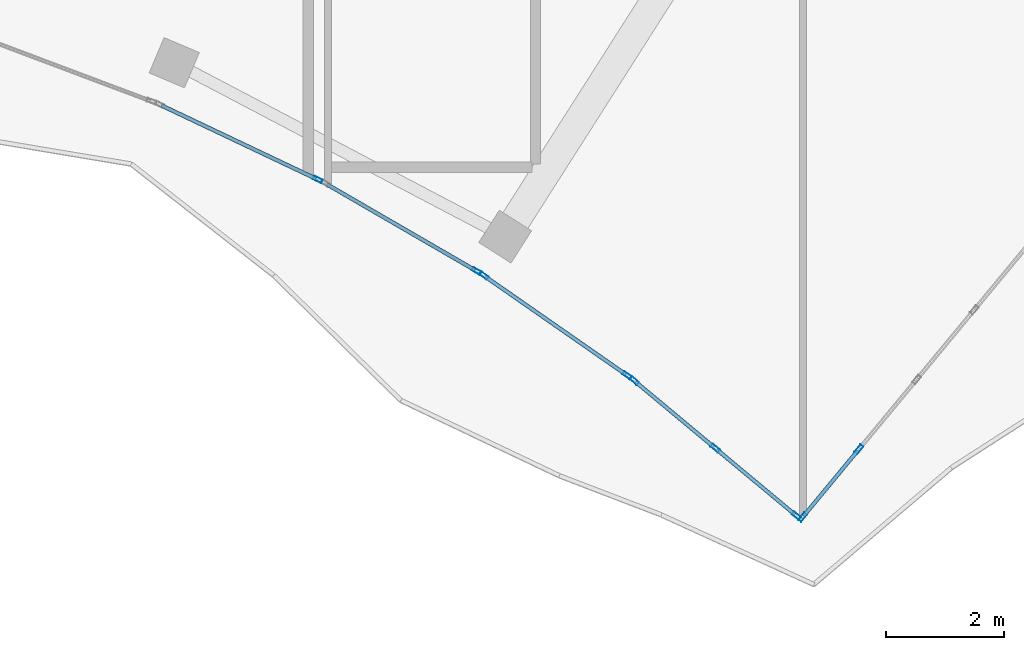
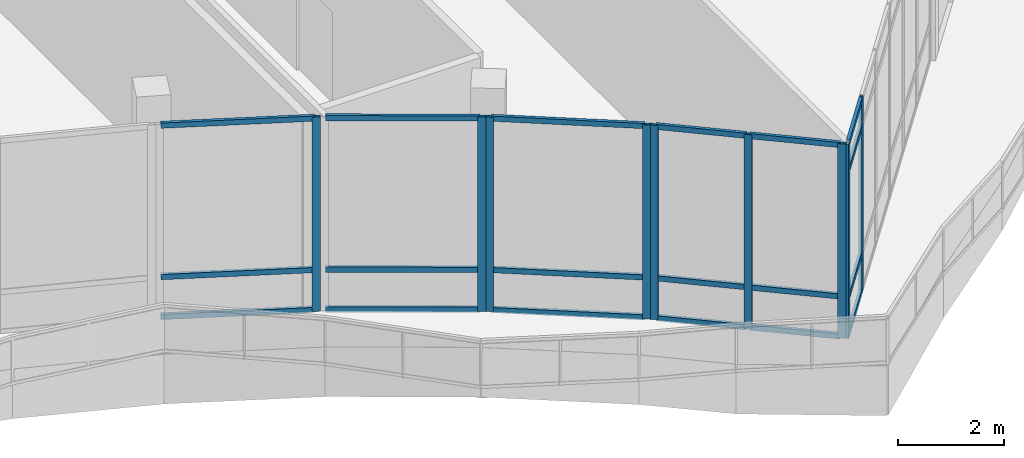
# One storey, part 95 of 155: 28 members, 5 elements without a shape of their own.
"""IFC4 building model written with IfcOpenShell, lengths in metres."""

from ifc_helpers import new_model, si_unit, direction, frame, origin, origin_2d, place, context, subcontext, project, spatial, hollow_rectangle, extrude, material, material_profile, profile_set, type_object, element, aggregate, save


model = new_model("IFC4")

# Units and contexts
model_context = context("Model", 3, precision=1e-05, world=origin(), true_north=direction((0.0, 1.0)))
body_context = subcontext(model_context, "Body", "Model", "MODEL_VIEW")
ifc_project = project(units=[si_unit("LENGTHUNIT", "METRE"), si_unit("AREAUNIT", "SQUARE_METRE"), si_unit("VOLUMEUNIT", "CUBIC_METRE"), si_unit("PLANEANGLEUNIT", "RADIAN"), si_unit("MASSUNIT", "GRAM", prefix="KILO")], contexts=[model_context])

# Site, building, storey
site_placement = place(None, origin())
site = spatial("IfcSite", under=ifc_project, at=site_placement, CompositionType="ELEMENT")
building_placement = place(site_placement, origin())
building = spatial("IfcBuilding", under=site, at=building_placement, Name="Selatvlak General Hospital", CompositionType="ELEMENT")
storey_placement = place(building_placement, frame((0.0, 0.0, 10.199951171875)))
storey = spatial("IfcBuildingStorey", under=building, at=storey_placement, Name="L02", CompositionType="ELEMENT", Elevation=10.199951171875)

# Curtain wall, members
ifc_material_1 = material(Name="Solar-control Low-E double glazing", Category="glass")
curtain_wall_type_1 = type_object("IfcCurtainWallType", Name="CW-CW-01", PredefinedType="USERDEFINED", material=ifc_material_1)
curtain_wall_1_placement = place(storey_placement, origin())
curtain_wall_1 = element("IfcCurtainWall", 1, at=curtain_wall_1_placement, inside=storey, type_object=curtain_wall_type_1, Name="Glazed facade curtain wall CW-L02-0274", ObjectType="UNITISED CURTAIN WALL", PredefinedType="USERDEFINED")
ifc_material_2 = material(Name="Dark anodised aluminium mullion", Category="aluminium")
ifc_material_profile_1 = material_profile(ifc_material_2, hollow_rectangle(XDim=0.06494140625, YDim=0.159912109375, WallThickness=0.00390625, at=origin_2d()), Name="AL-MUL 65x160x4")
ifc_profile_set_1 = profile_set([ifc_material_profile_1], Name="Dark anodised aluminium mullion")
member_type_1 = type_object("IfcMemberType", Name="CWM-01", PredefinedType="MULLION", material=ifc_profile_set_1)
member_1_placement = place(storey_placement, frame((166.550537109375, 45.15576171875, 0.0), z_axis=(0.0, 0.0, 1.0), x_axis=(0.770267232802, -0.637721247938, 0.0)))
member_1 = element("IfcMember", 2, at=member_1_placement, type_object=member_type_1, Name="CW-01 mullion 6", PredefinedType="MULLION", context=body_context, shape_type="SweptSolid", body=[
    extrude(hollow_rectangle(XDim=0.06494140625, YDim=0.159912109375, WallThickness=0.00390625, at=origin_2d()), origin(), (0.0, 0.0, 1.0), 4.4599609375),
])
member_2_placement = place(storey_placement, frame((165.59375, 44.0, 0.0), z_axis=(0.0, 0.0, 1.0), x_axis=(0.770267232802, -0.637721247938, 0.0)))
member_2 = element("IfcMember", 3, at=member_2_placement, type_object=member_type_1, Name="CW-01 mullion 7", PredefinedType="MULLION", context=body_context, shape_type="SweptSolid", body=[
    extrude(hollow_rectangle(XDim=0.06494140625, YDim=0.159912109375, WallThickness=0.00390625, at=origin_2d()), origin(), (0.0, 0.0, 1.0), 4.4599609375),
])

curtain_wall_2_placement = place(storey_placement, origin())
curtain_wall_2 = element("IfcCurtainWall", 4, at=curtain_wall_2_placement, inside=storey, type_object=curtain_wall_type_1, Name="Glazed facade curtain wall CW-L02-0275", ObjectType="UNITISED CURTAIN WALL", PredefinedType="USERDEFINED")
member_3_placement = place(storey_placement, frame((165.488037109375, 44.02587890625, 0.0), z_axis=(0.0, 0.0, 1.0), x_axis=(-0.640076587964, -0.768311109864, 0.0)))
member_3 = element("IfcMember", 5, at=member_3_placement, type_object=member_type_1, Name="CW-01 mullion 1", PredefinedType="MULLION", context=body_context, shape_type="SweptSolid", body=[
    extrude(hollow_rectangle(XDim=0.06494140625, YDim=0.159912109375, WallThickness=0.00390625, at=origin_2d()), origin(), (0.0, 0.0, 1.0), 4.4599609375),
])
member_4_placement = place(storey_placement, frame((164.111083984375, 45.173095703125, 0.0), z_axis=(0.0, 0.0, 1.0), x_axis=(-0.640076587964, -0.768311109864, 0.0)))
member_4 = element("IfcMember", 6, at=member_4_placement, type_object=member_type_1, Name="CW-01 mullion 2", PredefinedType="MULLION", context=body_context, shape_type="SweptSolid", body=[
    extrude(hollow_rectangle(XDim=0.06494140625, YDim=0.159912109375, WallThickness=0.00390625, at=origin_2d()), origin(), (0.0, 0.0, 1.0), 4.4599609375),
])
member_5_placement = place(storey_placement, frame((162.73388671875, 46.3203125, 0.0), z_axis=(0.0, 0.0, 1.0), x_axis=(-0.640076587964, -0.768311109864, 0.0)))
member_5 = element("IfcMember", 7, at=member_5_placement, type_object=member_type_1, Name="CW-01 mullion 3", PredefinedType="MULLION", context=body_context, shape_type="SweptSolid", body=[
    extrude(hollow_rectangle(XDim=0.06494140625, YDim=0.159912109375, WallThickness=0.00390625, at=origin_2d()), origin(), (0.0, 0.0, 1.0), 4.4599609375),
])

curtain_wall_type_2 = type_object("IfcCurtainWallType", Name="CW-CW-02", PredefinedType="USERDEFINED", material=ifc_material_1)
curtain_wall_3_placement = place(storey_placement, origin())
curtain_wall_3 = element("IfcCurtainWall", 8, at=curtain_wall_3_placement, inside=storey, type_object=curtain_wall_type_2, Name="Glazed facade curtain wall CW-L02-0276", ObjectType="UNITISED CURTAIN WALL", PredefinedType="USERDEFINED")
member_6_placement = place(storey_placement, frame((162.617431640625, 46.407470703125, 0.0), z_axis=(0.0, 0.0, 1.0), x_axis=(-0.571335076749, -0.82071690008, 0.0)))
member_6 = element("IfcMember", 9, at=member_6_placement, type_object=member_type_1, Name="CW-02 mullion 1", PredefinedType="MULLION", context=body_context, shape_type="SweptSolid", body=[
    extrude(hollow_rectangle(XDim=0.06494140625, YDim=0.159912109375, WallThickness=0.00390625, at=origin_2d()), origin(), (0.0, 0.0, 1.0), 4.4599609375),
])
member_7_placement = place(storey_placement, frame((160.1826171875, 48.1025390625, 0.0), z_axis=(0.0, 0.0, 1.0), x_axis=(-0.571335076749, -0.82071690008, 0.0)))
member_7 = element("IfcMember", 10, at=member_7_placement, type_object=member_type_1, Name="CW-02 mullion 2", PredefinedType="MULLION", context=body_context, shape_type="SweptSolid", body=[
    extrude(hollow_rectangle(XDim=0.06494140625, YDim=0.159912109375, WallThickness=0.00390625, at=origin_2d()), origin(), (0.0, 0.0, 1.0), 4.4599609375),
])

# Curtain wall, member
curtain_wall_4_placement = place(storey_placement, origin())
curtain_wall_4 = element("IfcCurtainWall", 11, at=curtain_wall_4_placement, inside=storey, type_object=curtain_wall_type_1, Name="Glazed facade curtain wall CW-L02-0277", ObjectType="UNITISED CURTAIN WALL", PredefinedType="USERDEFINED")
member_8_placement = place(storey_placement, frame((160.059814453125, 48.17919921875, 0.0), z_axis=(0.0, 0.0, 1.0), x_axis=(-0.501491093657, -0.865162807212, 0.0)))
member_8 = element("IfcMember", 12, at=member_8_placement, type_object=member_type_1, Name="CW-01 mullion 1", PredefinedType="MULLION", context=body_context, shape_type="SweptSolid", body=[
    extrude(hollow_rectangle(XDim=0.06494140625, YDim=0.159912109375, WallThickness=0.00390625, at=origin_2d()), origin(), (0.0, 0.0, 1.0), 4.4599609375),
])

curtain_wall_5_placement = place(storey_placement, origin())
curtain_wall_5 = element("IfcCurtainWall", 13, at=curtain_wall_5_placement, inside=storey, type_object=curtain_wall_type_2, Name="Glazed facade curtain wall CW-L02-0278", ObjectType="UNITISED CURTAIN WALL", PredefinedType="USERDEFINED")
member_9_placement = place(storey_placement, frame((157.362548828125, 49.73291015625, 0.0), z_axis=(0.0, 0.0, 1.0), x_axis=(-0.428525558966, -0.903529659343, 0.0)))
member_9 = element("IfcMember", 14, at=member_9_placement, type_object=member_type_1, Name="CW-02 mullion 1", PredefinedType="MULLION", context=body_context, shape_type="SweptSolid", body=[
    extrude(hollow_rectangle(XDim=0.06494140625, YDim=0.159912109375, WallThickness=0.00390625, at=origin_2d()), origin(), (0.0, 0.0, 1.0), 4.4599609375),
])

# Member
ifc_material_profile_2 = material_profile(ifc_material_2, hollow_rectangle(XDim=0.06494140625, YDim=0.1201171875, WallThickness=0.00390625, at=origin_2d()), Name="AL-TRN 65x120x4")
ifc_profile_set_2 = profile_set([ifc_material_profile_2], Name="Dark anodised aluminium mullion")
member_type_2 = type_object("IfcMemberType", Name="CWT-01", PredefinedType="USERDEFINED", material=ifc_profile_set_2)
member_10_placement = place(storey_placement, frame((166.52978515625, 45.130615234375, 0.032470703125), z_axis=(-0.637738287504, -0.770253125051, 0.0), x_axis=(0.770253125051, -0.637738287504, 0.0)))
member_10 = element("IfcMember", 15, at=member_10_placement, type_object=member_type_2, Name="CW-01 transom 6.1", ObjectType="TRANSOM", PredefinedType="USERDEFINED", context=body_context, shape_type="SweptSolid", body=[
    extrude(hollow_rectangle(XDim=0.06494140625, YDim=0.1201171875, WallThickness=0.00390625, at=origin_2d()), origin(), (0.0, 0.0, 1.0), 1.435302734375),
])

member_11_placement = place(storey_placement, frame((166.52978515625, 45.130615234375, 0.900146484375), z_axis=(-0.637738287504, -0.770253125051, 0.0), x_axis=(0.770253125051, -0.637738287504, 0.0)))
member_11 = element("IfcMember", 16, at=member_11_placement, type_object=member_type_2, Name="CW-01 transom 6.2", ObjectType="TRANSOM", PredefinedType="USERDEFINED", context=body_context, shape_type="SweptSolid", body=[
    extrude(hollow_rectangle(XDim=0.06494140625, YDim=0.1201171875, WallThickness=0.00390625, at=origin_2d()), origin(), (0.0, 0.0, 1.0), 1.435302734375),
])

member_12_placement = place(storey_placement, frame((166.52978515625, 45.130615234375, 3.81005859375), z_axis=(-0.637738287504, -0.770253125051, 0.0), x_axis=(0.770253125051, -0.637738287504, 0.0)))
member_12 = element("IfcMember", 17, at=member_12_placement, type_object=member_type_2, Name="CW-01 transom 6.3", ObjectType="TRANSOM", PredefinedType="USERDEFINED", context=body_context, shape_type="SweptSolid", body=[
    extrude(hollow_rectangle(XDim=0.06494140625, YDim=0.1201171875, WallThickness=0.00390625, at=origin_2d()), origin(), (0.0, 0.0, 1.0), 1.435302734375),
])

member_13_placement = place(storey_placement, frame((166.52978515625, 45.130615234375, 4.427490234375), z_axis=(-0.637738287504, -0.770253125051, 0.0), x_axis=(0.770253125051, -0.637738287504, 0.0)))
member_13 = element("IfcMember", 18, at=member_13_placement, type_object=member_type_2, Name="CW-01 transom 6.4", ObjectType="TRANSOM", PredefinedType="USERDEFINED", context=body_context, shape_type="SweptSolid", body=[
    extrude(hollow_rectangle(XDim=0.06494140625, YDim=0.1201171875, WallThickness=0.00390625, at=origin_2d()), origin(), (0.0, 0.0, 1.0), 1.435302734375),
])

aggregate(curtain_wall_1, [member_1, member_2, member_10, member_11, member_12, member_13])

member_14_placement = place(storey_placement, frame((165.463134765625, 44.046630859375, 0.032470703125), z_axis=(-0.768360290955, 0.640017549199, 0.0), x_axis=(-0.640017549199, -0.768360290955, 0.0)))
member_14 = element("IfcMember", 19, at=member_14_placement, type_object=member_type_2, Name="CW-01 transom 1.1", ObjectType="TRANSOM", PredefinedType="USERDEFINED", context=body_context, shape_type="SweptSolid", body=[
    extrude(hollow_rectangle(XDim=0.06494140625, YDim=0.1201171875, WallThickness=0.00390625, at=origin_2d()), origin(), (0.0, 0.0, 1.0), 1.727294921875),
])

member_15_placement = place(storey_placement, frame((165.463134765625, 44.046630859375, 0.949951171875), z_axis=(-0.768360290955, 0.640017549199, 0.0), x_axis=(-0.640017549199, -0.768360290955, 0.0)))
member_15 = element("IfcMember", 20, at=member_15_placement, type_object=member_type_2, Name="CW-01 transom 1.2", ObjectType="TRANSOM", PredefinedType="USERDEFINED", context=body_context, shape_type="SweptSolid", body=[
    extrude(hollow_rectangle(XDim=0.06494140625, YDim=0.1201171875, WallThickness=0.00390625, at=origin_2d()), origin(), (0.0, 0.0, 1.0), 1.727294921875),
])

member_16_placement = place(storey_placement, frame((165.463134765625, 44.046630859375, 4.427490234375), z_axis=(-0.768360290955, 0.640017549199, 0.0), x_axis=(-0.640017549199, -0.768360290955, 0.0)))
member_16 = element("IfcMember", 21, at=member_16_placement, type_object=member_type_2, Name="CW-01 transom 1.3", ObjectType="TRANSOM", PredefinedType="USERDEFINED", context=body_context, shape_type="SweptSolid", body=[
    extrude(hollow_rectangle(XDim=0.06494140625, YDim=0.1201171875, WallThickness=0.00390625, at=origin_2d()), origin(), (0.0, 0.0, 1.0), 1.727294921875),
])

member_17_placement = place(storey_placement, frame((164.0859375, 45.19384765625, 0.032470703125), z_axis=(-0.768302382767, 0.640087063324, 0.0), x_axis=(-0.640087063324, -0.768302382767, 0.0)))
member_17 = element("IfcMember", 22, at=member_17_placement, type_object=member_type_2, Name="CW-01 transom 2.1", ObjectType="TRANSOM", PredefinedType="USERDEFINED", context=body_context, shape_type="SweptSolid", body=[
    extrude(hollow_rectangle(XDim=0.06494140625, YDim=0.1201171875, WallThickness=0.00390625, at=origin_2d()), origin(), (0.0, 0.0, 1.0), 1.72705078125),
])

member_18_placement = place(storey_placement, frame((164.0859375, 45.19384765625, 0.949951171875), z_axis=(-0.768302382767, 0.640087063324, 0.0), x_axis=(-0.640087063324, -0.768302382767, 0.0)))
member_18 = element("IfcMember", 23, at=member_18_placement, type_object=member_type_2, Name="CW-01 transom 2.2", ObjectType="TRANSOM", PredefinedType="USERDEFINED", context=body_context, shape_type="SweptSolid", body=[
    extrude(hollow_rectangle(XDim=0.06494140625, YDim=0.1201171875, WallThickness=0.00390625, at=origin_2d()), origin(), (0.0, 0.0, 1.0), 1.72705078125),
])

member_19_placement = place(storey_placement, frame((164.0859375, 45.19384765625, 4.427490234375), z_axis=(-0.768302382767, 0.640087063324, 0.0), x_axis=(-0.640087063324, -0.768302382767, 0.0)))
member_19 = element("IfcMember", 24, at=member_19_placement, type_object=member_type_2, Name="CW-01 transom 2.3", ObjectType="TRANSOM", PredefinedType="USERDEFINED", context=body_context, shape_type="SweptSolid", body=[
    extrude(hollow_rectangle(XDim=0.06494140625, YDim=0.1201171875, WallThickness=0.00390625, at=origin_2d()), origin(), (0.0, 0.0, 1.0), 1.72705078125),
])

aggregate(curtain_wall_2, [member_3, member_4, member_5, member_14, member_15, member_16, member_17, member_18, member_19])

member_20_placement = place(storey_placement, frame((162.590576171875, 46.426025390625, 0.032470703125), z_axis=(-0.820683915696, 0.571382455556, 0.0), x_axis=(-0.571382455556, -0.820683915696, 0.0)))
member_20 = element("IfcMember", 25, at=member_20_placement, type_object=member_type_2, Name="CW-02 transom 1.1", ObjectType="TRANSOM", PredefinedType="USERDEFINED", context=body_context, shape_type="SweptSolid", body=[
    extrude(hollow_rectangle(XDim=0.06494140625, YDim=0.1201171875, WallThickness=0.00390625, at=origin_2d()), origin(), (0.0, 0.0, 1.0), 2.901611328125),
])

member_21_placement = place(storey_placement, frame((162.590576171875, 46.426025390625, 0.949951171875), z_axis=(-0.820683915696, 0.571382455556, 0.0), x_axis=(-0.571382455556, -0.820683915696, 0.0)))
member_21 = element("IfcMember", 26, at=member_21_placement, type_object=member_type_2, Name="CW-02 transom 1.2", ObjectType="TRANSOM", PredefinedType="USERDEFINED", context=body_context, shape_type="SweptSolid", body=[
    extrude(hollow_rectangle(XDim=0.06494140625, YDim=0.1201171875, WallThickness=0.00390625, at=origin_2d()), origin(), (0.0, 0.0, 1.0), 2.901611328125),
])

member_22_placement = place(storey_placement, frame((162.590576171875, 46.426025390625, 4.427490234375), z_axis=(-0.820683915696, 0.571382455556, 0.0), x_axis=(-0.571382455556, -0.820683915696, 0.0)))
member_22 = element("IfcMember", 27, at=member_22_placement, type_object=member_type_2, Name="CW-02 transom 1.3", ObjectType="TRANSOM", PredefinedType="USERDEFINED", context=body_context, shape_type="SweptSolid", body=[
    extrude(hollow_rectangle(XDim=0.06494140625, YDim=0.1201171875, WallThickness=0.00390625, at=origin_2d()), origin(), (0.0, 0.0, 1.0), 2.901611328125),
])

aggregate(curtain_wall_3, [member_6, member_7, member_20, member_21, member_22])

member_23_placement = place(storey_placement, frame((160.03173828125, 48.195556640625, 0.032470703125), z_axis=(-0.865157453333, 0.501500329953, 0.0), x_axis=(-0.501500329953, -0.865157453333, 0.0)))
member_23 = element("IfcMember", 28, at=member_23_placement, type_object=member_type_2, Name="CW-01 transom 1.1", ObjectType="TRANSOM", PredefinedType="USERDEFINED", context=body_context, shape_type="SweptSolid", body=[
    extrude(hollow_rectangle(XDim=0.06494140625, YDim=0.1201171875, WallThickness=0.00390625, at=origin_2d()), origin(), (0.0, 0.0, 1.0), 2.90283203125),
])

member_24_placement = place(storey_placement, frame((160.03173828125, 48.195556640625, 0.949951171875), z_axis=(-0.865157453333, 0.501500329953, 0.0), x_axis=(-0.501500329953, -0.865157453333, 0.0)))
member_24 = element("IfcMember", 29, at=member_24_placement, type_object=member_type_2, Name="CW-01 transom 1.2", ObjectType="TRANSOM", PredefinedType="USERDEFINED", context=body_context, shape_type="SweptSolid", body=[
    extrude(hollow_rectangle(XDim=0.06494140625, YDim=0.1201171875, WallThickness=0.00390625, at=origin_2d()), origin(), (0.0, 0.0, 1.0), 2.90283203125),
])

member_25_placement = place(storey_placement, frame((160.03173828125, 48.195556640625, 4.427490234375), z_axis=(-0.865157453333, 0.501500329953, 0.0), x_axis=(-0.501500329953, -0.865157453333, 0.0)))
member_25 = element("IfcMember", 30, at=member_25_placement, type_object=member_type_2, Name="CW-01 transom 1.3", ObjectType="TRANSOM", PredefinedType="USERDEFINED", context=body_context, shape_type="SweptSolid", body=[
    extrude(hollow_rectangle(XDim=0.06494140625, YDim=0.1201171875, WallThickness=0.00390625, at=origin_2d()), origin(), (0.0, 0.0, 1.0), 2.90283203125),
])

aggregate(curtain_wall_4, [member_8, member_23, member_24, member_25])

member_26_placement = place(storey_placement, frame((157.333251953125, 49.746826171875, 0.032470703125), z_axis=(-0.903516867621, 0.42855252878, 0.0), x_axis=(-0.42855252878, -0.903516867621, 0.0)))
member_26 = element("IfcMember", 31, at=member_26_placement, type_object=member_type_2, Name="CW-02 transom 1.1", ObjectType="TRANSOM", PredefinedType="USERDEFINED", context=body_context, shape_type="SweptSolid", body=[
    extrude(hollow_rectangle(XDim=0.06494140625, YDim=0.1201171875, WallThickness=0.00390625, at=origin_2d()), origin(), (0.0, 0.0, 1.0), 2.90380859375),
])

member_27_placement = place(storey_placement, frame((157.333251953125, 49.746826171875, 0.949951171875), z_axis=(-0.903516867621, 0.42855252878, 0.0), x_axis=(-0.42855252878, -0.903516867621, 0.0)))
member_27 = element("IfcMember", 32, at=member_27_placement, type_object=member_type_2, Name="CW-02 transom 1.2", ObjectType="TRANSOM", PredefinedType="USERDEFINED", context=body_context, shape_type="SweptSolid", body=[
    extrude(hollow_rectangle(XDim=0.06494140625, YDim=0.1201171875, WallThickness=0.00390625, at=origin_2d()), origin(), (0.0, 0.0, 1.0), 2.90380859375),
])

member_28_placement = place(storey_placement, frame((157.333251953125, 49.746826171875, 4.427490234375), z_axis=(-0.903516867621, 0.42855252878, 0.0), x_axis=(-0.42855252878, -0.903516867621, 0.0)))
member_28 = element("IfcMember", 33, at=member_28_placement, type_object=member_type_2, Name="CW-02 transom 1.3", ObjectType="TRANSOM", PredefinedType="USERDEFINED", context=body_context, shape_type="SweptSolid", body=[
    extrude(hollow_rectangle(XDim=0.06494140625, YDim=0.1201171875, WallThickness=0.00390625, at=origin_2d()), origin(), (0.0, 0.0, 1.0), 2.90380859375),
])

aggregate(curtain_wall_5, [member_9, member_26, member_27, member_28])

save(model, "model.ifc")
